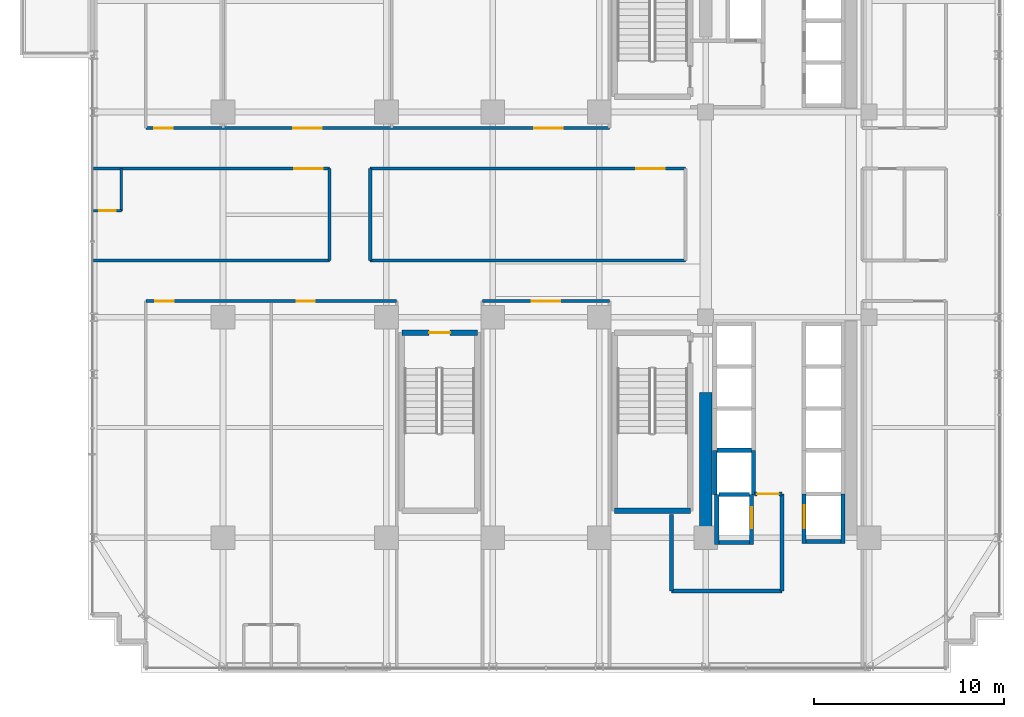
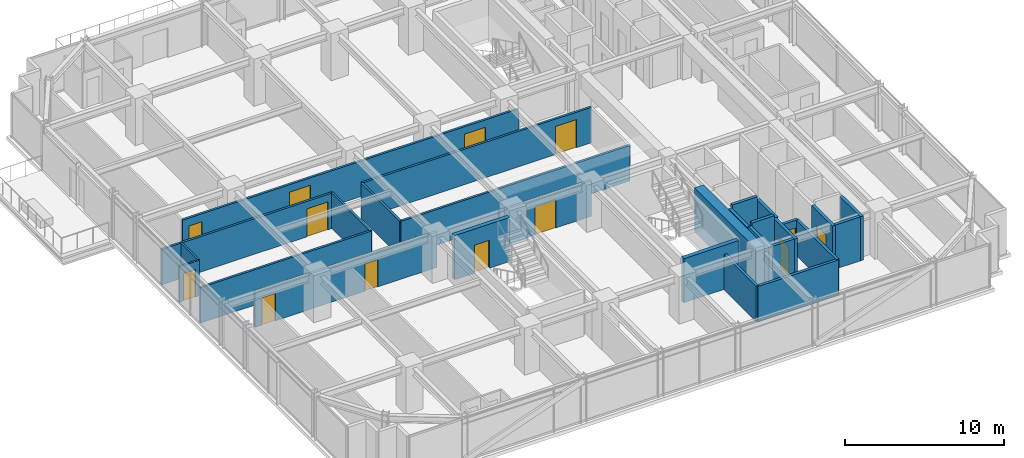
# One storey, part 28 of 35: 28 walls, 13 doors, 13 openings.
"""IFC4 building model written with IfcOpenShell, lengths in metres."""

from ifc_helpers import new_model, si_unit, direction, frame, frame_2d, origin, place, context, subcontext, project, spatial, rectangle, extrude, source, transform, mapped, material, layer, layer_set, type_object, element, fill, save


model = new_model("IFC4")

# Units and contexts
model_context = context("Model", 3, precision=1e-05, world=origin(), true_north=direction((0.0, 1.0)))
body_context = subcontext(model_context, "Body", "Model", "MODEL_VIEW")
ifc_project = project(units=[si_unit("LENGTHUNIT", "METRE"), si_unit("AREAUNIT", "SQUARE_METRE"), si_unit("VOLUMEUNIT", "CUBIC_METRE"), si_unit("PLANEANGLEUNIT", "RADIAN"), si_unit("MASSUNIT", "GRAM", prefix="KILO")], contexts=[model_context])

# Site, building, storey
site_placement = place(None, origin())
site = spatial("IfcSite", under=ifc_project, at=site_placement, CompositionType="ELEMENT")
building_placement = place(site_placement, origin())
building = spatial("IfcBuilding", under=site, at=building_placement, Name="Nahalor Promenade Grand Hotel", CompositionType="ELEMENT")
storey_placement = place(building_placement, frame((0.0, 0.0, 121.14990234375)))
storey = spatial("IfcBuildingStorey", under=building, at=storey_placement, Name="L30", CompositionType="ELEMENT", Elevation=121.14990234375)

# Walls
ifc_material_1 = material(Name="Concrete B-60 (C50/60)", Category="concrete")
ifc_layer_1 = layer(ifc_material_1, 0.64990234375)
ifc_layer_set_1 = layer_set([ifc_layer_1], Name="Concrete B-60 (C50/60)")
wall_type_1 = type_object("IfcWallType", Name="Wall-CoreShear-650", PredefinedType="SHEAR", material=ifc_layer_set_1)
shared_shape_1 = source(origin(), body_context, "Body", "SweptSolid", [
    extrude(rectangle(XDim=7.64990234375, YDim=0.64990234375, at=frame_2d((3.824951171875, 0.0))), origin(), (0.0, 0.0, 1.0), 3.380126953125),
])
wall_1_placement = place(storey_placement, frame((8.39990234375, -17.0, 0.0), z_axis=(0.0, 0.0, 1.0), x_axis=(0.0, 1.0, 0.0)))
element("IfcWall", 1, at=wall_1_placement, inside=storey, type_object=wall_type_1, Name="CWALL-L30-SW", PredefinedType="SHEAR", context=body_context, shape_type="MappedRepresentation", body=[
    mapped(shared_shape_1, transform((0.0, 0.0, 0.0), scale=1.0)),
])
ifc_material_2 = material(Name="Concrete B-50 (C40/50)", Category="concrete")
ifc_layer_2 = layer(ifc_material_2, 0.300048828125)
ifc_layer_set_2 = layer_set([ifc_layer_2], Name="Concrete B-50 (C40/50)")
wall_type_2 = type_object("IfcWallType", Name="Wall-ShaftShear-300", PredefinedType="SHEAR", material=ifc_layer_set_2)
shared_shape_2 = source(origin(), body_context, "Body", "SweptSolid", [
    extrude(rectangle(XDim=3.97998046875, YDim=0.300048828125, at=frame_2d((1.989990234375, 0.0))), origin(), (0.0, 0.0, 1.0), 3.380126953125),
])
wall_2_placement = place(storey_placement, frame((3.610107421875, -15.590087890625, 0.0), z_axis=(0.0, 0.0, 1.0), x_axis=(1.0, 0.0, 0.0)))
element("IfcWall", 2, at=wall_2_placement, inside=storey, type_object=wall_type_2, Name="L30 Exit Stair ST2 Shaft Wall S", PredefinedType="SHEAR", context=body_context, shape_type="MappedRepresentation", body=[
    mapped(shared_shape_2, transform((0.0, 0.0, 0.0), scale=1.0)),
])

# Wall, opening, door
wall_3_placement = place(storey_placement, frame((-7.590087890625, -6.2099609375, 0.0), z_axis=(0.0, 0.0, 1.0), x_axis=(1.0, 0.0, 0.0)))
wall_3 = element("IfcWall", 3, at=wall_3_placement, inside=storey, type_object=wall_type_2, Name="L30 Exit Stair ST3 Shaft Wall N", PredefinedType="SHEAR", context=body_context, shape_type="MappedRepresentation", body=[
    mapped(shared_shape_2, transform((0.0, 0.0, 0.0), scale=1.0)),
])
opening_1_placement = place(wall_3_placement, frame((1.43994140625, 0.0, 0.0)))
opening_1 = element("IfcOpeningElement", 4, at=opening_1_placement, cuts=wall_3, Name="Opening D-ST1", PredefinedType="OPENING", context=body_context, shape_type="SweptSolid", body=[
    extrude(rectangle(XDim=1.10009765625, YDim=2.14990234375, at=frame_2d((0.550048828125, 1.074951171875))), frame((0.0, 0.159912109375, 0.0), z_axis=(0.0, -1.0, 0.0), x_axis=(1.0, 0.0, 0.0)), (0.0, 0.0, 1.0), 0.320068359375),
])
ifc_material_3 = material(Name="Steel S355JR", Category="steel")
door_type_1 = type_object("IfcDoorType", Name="Door-StairFire-1100", OperationType="NOTDEFINED", PredefinedType="DOOR", material=ifc_material_3)
shared_shape_3 = source(origin(), body_context, "Body", "SweptSolid", [
    extrude(rectangle(XDim=1.10009765625, YDim=2.14990234375, at=frame_2d((0.550048828125, 1.074951171875))), frame((0.0, 0.02490234375, 0.0), z_axis=(0.0, -1.0, 0.0), x_axis=(1.0, 0.0, 0.0)), (0.0, 0.0, 1.0), 0.050048828125),
])
door_1_placement = place(opening_1_placement, frame((1.10009765625, 0.0, 0.0), z_axis=(0.0, 0.0, 1.0), x_axis=(-1.0, 0.0, 0.0)))
door_1 = element("IfcDoor", 5, at=door_1_placement, inside=storey, type_object=door_type_1, Name="DR-STAIR-ST3-L30", OperationType="SINGLE_SWING_LEFT", OverallHeight=2.14990234375, OverallWidth=1.10009765625, PredefinedType="DOOR", context=body_context, shape_type="MappedRepresentation", body=[
    mapped(shared_shape_3, transform((0.0, 0.0, 0.0), scale=1.0)),
])
fill(opening_1, door_1)

# Walls
ifc_layer_3 = layer(ifc_material_2, 0.219970703125)
ifc_layer_set_3 = layer_set([ifc_layer_3], Name="Concrete B-50 (C40/50)")
wall_type_3 = type_object("IfcWallType", Name="Wall-LiftShaft-220", PredefinedType="SHEAR", material=ifc_layer_set_3)
shared_shape_4 = source(origin(), body_context, "Body", "SweptSolid", [
    extrude(rectangle(XDim=1.820068359375, YDim=0.219970703125, at=frame_2d((0.91015625, 0.0))), origin(), (0.0, 0.0, 1.0), 3.650146484375),
])
wall_4_placement = place(storey_placement, frame((8.989990234375, -12.39990234375, 0.0), z_axis=(0.0, 0.0, 1.0), x_axis=(1.0, 0.0, 0.0)))
element("IfcWall", 6, at=wall_4_placement, inside=storey, type_object=wall_type_3, Name="L30 Lift PL12 Hoistway Wall N", PredefinedType="SHEAR", context=body_context, shape_type="MappedRepresentation", body=[
    mapped(shared_shape_4, transform((0.0, 0.0, 0.0), scale=1.0)),
])
shared_shape_5 = source(origin(), body_context, "Body", "SweptSolid", [
    extrude(rectangle(XDim=1.820068359375, YDim=0.219970703125, at=frame_2d((0.91015625, 0.0))), origin(), (0.0, 0.0, 1.0), 3.380126953125),
])
wall_5_placement = place(storey_placement, frame((13.68994140625, -17.199951171875, 0.0), z_axis=(0.0, 0.0, 1.0), x_axis=(1.0, 0.0, 0.0)))
element("IfcWall", 7, at=wall_5_placement, inside=storey, type_object=wall_type_3, Name="L30 Lift SV2 Hoistway Wall S", PredefinedType="SHEAR", context=body_context, shape_type="MappedRepresentation", body=[
    mapped(shared_shape_5, transform((0.0, 0.0, 0.0), scale=1.0)),
])
shared_shape_6 = source(origin(), body_context, "Body", "SweptSolid", [
    extrude(rectangle(XDim=2.3251953125, YDim=0.219970703125, at=frame_2d((1.16259765625, 0.0))), origin(), (0.0, 0.0, 1.0), 3.380126953125),
])
for number, where, z_axis, x_axis, name in (
    (8, (8.8798828125, -14.72509765625, 0.0), (0.0, 0.0, 1.0), (0.0, 1.0, 0.0), "L30 Lift PL12 Hoistway Wall W"),
    (9, (10.919921875, -14.72509765625, 0.0), (0.0, 0.0, 1.0), (0.0, 1.0, 0.0), "L30 Lift PL12 Hoistway Wall E"),
):
    element("IfcWall", number, at=place(storey_placement, frame(where, z_axis=z_axis, x_axis=x_axis)), inside=storey, type_object=wall_type_3, Name=name, PredefinedType="SHEAR", context=body_context, shape_type="MappedRepresentation", body=[
        mapped(shared_shape_6, transform((0.0, 0.0, 0.0), scale=1.0)),
    ])
shared_shape_7 = source(origin(), body_context, "Body", "SweptSolid", [
    extrude(rectangle(XDim=1.619873046875, YDim=0.219970703125, at=frame_2d((0.81005859375, 0.0))), origin(), (0.0, 0.0, 1.0), 3.650146484375),
])
wall_6_placement = place(storey_placement, frame((9.090087890625, -14.72509765625, 0.0), z_axis=(0.0, 0.0, 1.0), x_axis=(1.0, 0.0, 0.0)))
element("IfcWall", 10, at=wall_6_placement, inside=storey, type_object=wall_type_3, Name="L30 Lift FL2 Hoistway Wall N", PredefinedType="SHEAR", context=body_context, shape_type="MappedRepresentation", body=[
    mapped(shared_shape_7, transform((0.0, 0.0, 0.0), scale=1.0)),
])
shared_shape_8 = source(origin(), body_context, "Body", "SweptSolid", [
    extrude(rectangle(XDim=2.635009765625, YDim=0.219970703125, at=frame_2d((1.3173828125, 0.0))), origin(), (0.0, 0.0, 1.0), 3.380126953125),
])
wall_7_placement = place(storey_placement, frame((8.97998046875, -17.360107421875, 0.0), z_axis=(0.0, 0.0, 1.0), x_axis=(0.0, 1.0, 0.0)))
element("IfcWall", 11, at=wall_7_placement, inside=storey, type_object=wall_type_3, Name="L30 Lift FL2 Hoistway Wall W", PredefinedType="SHEAR", context=body_context, shape_type="MappedRepresentation", body=[
    mapped(shared_shape_8, transform((0.0, 0.0, 0.0), scale=1.0)),
])

# Wall, opening, door
wall_8_placement = place(storey_placement, frame((10.820068359375, -17.360107421875, 0.0), z_axis=(0.0, 0.0, 1.0), x_axis=(0.0, 1.0, 0.0)))
wall_8 = element("IfcWall", 12, at=wall_8_placement, inside=storey, type_object=wall_type_3, Name="L30 Lift FL2 Hoistway Wall E", PredefinedType="SHEAR", context=body_context, shape_type="MappedRepresentation", body=[
    mapped(shared_shape_8, transform((0.0, 0.0, 0.0), scale=1.0)),
])
opening_2_placement = place(wall_8_placement, frame((0.860107421875, 0.0, 0.0)))
opening_2 = element("IfcOpeningElement", 13, at=opening_2_placement, cuts=wall_8, Name="Opening LD-02", PredefinedType="OPENING", context=body_context, shape_type="SweptSolid", body=[
    extrude(rectangle(XDim=1.10009765625, YDim=2.199951171875, at=frame_2d((0.550048828125, 1.10009765625))), frame((0.0, 0.119873046875, 0.0), z_axis=(0.0, -1.0, 0.0), x_axis=(1.0, 0.0, 0.0)), (0.0, 0.0, 1.0), 0.239990234375),
])
door_type_2 = type_object("IfcDoorType", Name="Door-LiftFF-1100", OperationType="DOUBLE_DOOR_SLIDING", PredefinedType="DOOR", material=ifc_material_3)
shared_shape_9 = source(origin(), body_context, "Body", "SweptSolid", [
    extrude(rectangle(XDim=1.10009765625, YDim=2.199951171875, at=frame_2d((0.550048828125, 1.10009765625))), frame((0.0, 0.02490234375, 0.0), z_axis=(0.0, -1.0, 0.0), x_axis=(1.0, 0.0, 0.0)), (0.0, 0.0, 1.0), 0.050048828125),
])
door_2_placement = place(opening_2_placement, frame((1.10009765625, 0.0, 0.0), z_axis=(0.0, 0.0, 1.0), x_axis=(-1.0, 0.0, 0.0)))
door_2 = element("IfcDoor", 14, at=door_2_placement, inside=storey, type_object=door_type_2, Name="DR-LIFT-FL2-L30", OperationType="DOUBLE_DOOR_SLIDING", OverallHeight=2.199951171875, OverallWidth=1.10009765625, PredefinedType="DOOR", context=body_context, shape_type="MappedRepresentation", body=[
    mapped(shared_shape_9, transform((0.0, 0.0, 0.0), scale=1.0)),
])
fill(opening_2, door_2)

# Wall
shared_shape_10 = source(origin(), body_context, "Body", "SweptSolid", [
    extrude(rectangle(XDim=1.619873046875, YDim=0.219970703125, at=frame_2d((0.81005859375, 0.0))), origin(), (0.0, 0.0, 1.0), 3.380126953125),
])
wall_9_placement = place(storey_placement, frame((9.090087890625, -17.25, 0.0), z_axis=(0.0, 0.0, 1.0), x_axis=(1.0, 0.0, 0.0)))
element("IfcWall", 15, at=wall_9_placement, inside=storey, type_object=wall_type_3, Name="L30 Lift FL2 Hoistway Wall S", PredefinedType="SHEAR", context=body_context, shape_type="MappedRepresentation", body=[
    mapped(shared_shape_10, transform((0.0, 0.0, 0.0), scale=1.0)),
])

# Wall, opening, door
shared_shape_11 = source(origin(), body_context, "Body", "SweptSolid", [
    extrude(rectangle(XDim=2.610107421875, YDim=0.219970703125, at=frame_2d((1.30517578125, 0.0))), origin(), (0.0, 0.0, 1.0), 3.380126953125),
])
wall_10_placement = place(storey_placement, frame((13.580078125, -17.31005859375, 0.0), z_axis=(0.0, 0.0, 1.0), x_axis=(0.0, 1.0, 0.0)))
wall_10 = element("IfcWall", 16, at=wall_10_placement, inside=storey, type_object=wall_type_3, Name="L30 Lift SV2 Hoistway Wall W", PredefinedType="SHEAR", context=body_context, shape_type="MappedRepresentation", body=[
    mapped(shared_shape_11, transform((0.0, 0.0, 0.0), scale=1.0)),
])
opening_3_placement = place(wall_10_placement, frame((0.81005859375, 0.0, 0.0)))
opening_3 = element("IfcOpeningElement", 17, at=opening_3_placement, cuts=wall_10, Name="Opening LD-03", PredefinedType="OPENING", context=body_context, shape_type="SweptSolid", body=[
    extrude(rectangle(XDim=1.199951171875, YDim=2.199951171875, at=frame_2d((0.60009765625, 1.10009765625))), frame((0.0, 0.119873046875, 0.0), z_axis=(0.0, -1.0, 0.0), x_axis=(1.0, 0.0, 0.0)), (0.0, 0.0, 1.0), 0.239990234375),
])
door_type_3 = type_object("IfcDoorType", Name="Door-LiftService-1200", OperationType="DOUBLE_DOOR_SLIDING", PredefinedType="DOOR", material=ifc_material_3)
shared_shape_12 = source(origin(), body_context, "Body", "SweptSolid", [
    extrude(rectangle(XDim=1.199951171875, YDim=2.199951171875, at=frame_2d((0.60009765625, 1.10009765625))), frame((0.0, 0.02490234375, 0.0), z_axis=(0.0, -1.0, 0.0), x_axis=(1.0, 0.0, 0.0)), (0.0, 0.0, 1.0), 0.050048828125),
])
door_3_placement = place(opening_3_placement, origin())
door_3 = element("IfcDoor", 18, at=door_3_placement, inside=storey, type_object=door_type_3, Name="DR-LIFT-SV2-L30", OperationType="DOUBLE_DOOR_SLIDING", OverallHeight=2.199951171875, OverallWidth=1.199951171875, PredefinedType="DOOR", context=body_context, shape_type="MappedRepresentation", body=[
    mapped(shared_shape_12, transform((0.0, 0.0, 0.0), scale=1.0)),
])
fill(opening_3, door_3)

# Walls
wall_11_placement = place(storey_placement, frame((15.6201171875, -17.31005859375, 0.0), z_axis=(0.0, 0.0, 1.0), x_axis=(0.0, 1.0, 0.0)))
element("IfcWall", 19, at=wall_11_placement, inside=storey, type_object=wall_type_3, Name="L30 Lift SV2 Hoistway Wall E", PredefinedType="SHEAR", context=body_context, shape_type="MappedRepresentation", body=[
    mapped(shared_shape_11, transform((0.0, 0.0, 0.0), scale=1.0)),
])
ifc_material_4 = material(Name="Concrete B-40 (C32/40)", Category="concrete")
ifc_layer_4 = layer(ifc_material_4, 0.199951171875)
ifc_layer_set_4 = layer_set([ifc_layer_4], Name="Concrete B-40 (C32/40)")
wall_type_4 = type_object("IfcWallType", Name="Wall-PartFire-200", PredefinedType="PARTITIONING", material=ifc_layer_set_4)
shared_shape_13 = source(origin(), body_context, "Body", "SweptSolid", [
    extrude(rectangle(XDim=5.81982421875, YDim=0.199951171875, at=frame_2d((2.909912109375, 0.0))), origin(), (0.0, 0.0, 1.0), 2.72021484375),
])
wall_12_placement = place(storey_placement, frame((6.60009765625, -19.800048828125, 0.0), z_axis=(0.0, 0.0, 1.0), x_axis=(1.0, 0.0, 0.0)))
element("IfcWall", 20, at=wall_12_placement, inside=storey, type_object=wall_type_4, Name="W-L30-FF2-S1", PredefinedType="PARTITIONING", context=body_context, shape_type="MappedRepresentation", body=[
    mapped(shared_shape_13, transform((0.0, 0.0, 0.0), scale=1.0)),
])
shared_shape_14 = source(origin(), body_context, "Body", "SweptSolid", [
    extrude(rectangle(XDim=4.030029296875, YDim=0.199951171875, at=frame_2d((2.01513671875, 0.0))), origin(), (0.0, 0.0, 1.0), 2.72021484375),
])
wall_13_placement = place(storey_placement, frame((6.60009765625, -19.800048828125, 0.0), z_axis=(0.0, 0.0, 1.0), x_axis=(0.0, 1.0, 0.0)))
element("IfcWall", 21, at=wall_13_placement, inside=storey, type_object=wall_type_4, Name="W-L30-FF2-W1", PredefinedType="PARTITIONING", context=body_context, shape_type="MappedRepresentation", body=[
    mapped(shared_shape_14, transform((0.0, 0.0, 0.0), scale=1.0)),
])
shared_shape_15 = source(origin(), body_context, "Body", "SweptSolid", [
    extrude(rectangle(XDim=5.10009765625, YDim=0.199951171875, at=frame_2d((2.550048828125, 0.0))), origin(), (0.0, 0.0, 1.0), 2.72021484375),
])
wall_14_placement = place(storey_placement, frame((12.419921875, -19.800048828125, 0.0), z_axis=(0.0, 0.0, 1.0), x_axis=(0.0, 1.0, 0.0)))
element("IfcWall", 22, at=wall_14_placement, inside=storey, type_object=wall_type_4, Name="W-L30-FF2-E", PredefinedType="PARTITIONING", context=body_context, shape_type="MappedRepresentation", body=[
    mapped(shared_shape_15, transform((0.0, 0.0, 0.0), scale=1.0)),
])

# Wall, opening, door
shared_shape_16 = source(origin(), body_context, "Body", "SweptSolid", [
    extrude(rectangle(XDim=1.4599609375, YDim=0.199951171875, at=frame_2d((0.72998046875, 0.0))), origin(), (0.0, 0.0, 1.0), 2.72021484375),
])
wall_15_placement = place(storey_placement, frame((10.9599609375, -14.699951171875, 0.0), z_axis=(0.0, 0.0, 1.0), x_axis=(1.0, 0.0, 0.0)))
wall_15 = element("IfcWall", 23, at=wall_15_placement, inside=storey, type_object=wall_type_4, Name="W-L30-FF2-N1", PredefinedType="PARTITIONING", context=body_context, shape_type="MappedRepresentation", body=[
    mapped(shared_shape_16, transform((0.0, 0.0, 0.0), scale=1.0)),
])
opening_4_placement = place(wall_15_placement, frame((0.14501953125, 0.0, 0.0)))
opening_4 = element("IfcOpeningElement", 24, at=opening_4_placement, cuts=wall_15, Name="Opening D-FF1", PredefinedType="OPENING", context=body_context, shape_type="SweptSolid", body=[
    extrude(rectangle(XDim=1.14990234375, YDim=2.14990234375, at=frame_2d((0.574951171875, 1.074951171875))), frame((0.0, 0.10986328125, 0.0), z_axis=(0.0, -1.0, 0.0), x_axis=(1.0, 0.0, 0.0)), (0.0, 0.0, 1.0), 0.219970703125),
])
door_type_4 = type_object("IfcDoorType", Name="Door-FFLobby-1150", OperationType="NOTDEFINED", PredefinedType="DOOR", material=ifc_material_3)
shared_shape_17 = source(origin(), body_context, "Body", "SweptSolid", [
    extrude(rectangle(XDim=1.14990234375, YDim=2.14990234375, at=frame_2d((0.574951171875, 1.074951171875))), frame((0.0, 0.02490234375, 0.0), z_axis=(0.0, -1.0, 0.0), x_axis=(1.0, 0.0, 0.0)), (0.0, 0.0, 1.0), 0.050048828125),
])
door_4_placement = place(opening_4_placement, origin())
door_4 = element("IfcDoor", 25, at=door_4_placement, inside=storey, type_object=door_type_4, Name="DR-L30-FFL2", OperationType="SINGLE_SWING_RIGHT", OverallHeight=2.14990234375, OverallWidth=1.14990234375, PredefinedType="DOOR", context=body_context, shape_type="MappedRepresentation", body=[
    mapped(shared_shape_17, transform((0.0, 0.0, 0.0), scale=1.0)),
])
fill(opening_4, door_4)

# Wall, openings, doors
ifc_material_5 = material(Name="Acoustic Mineral Gypsum", Category="gypsum")
ifc_layer_5 = layer(ifc_material_5, 0.159912109375)
ifc_layer_set_5 = layer_set([ifc_layer_5], Name="Acoustic Mineral Gypsum")
wall_type_5 = type_object("IfcWallType", Name="Wall-PartCorridor-160", PredefinedType="PARTITIONING", material=ifc_layer_set_5)
shared_shape_18 = source(origin(), body_context, "Body", "SweptSolid", [
    extrude(rectangle(XDim=24.400146484375, YDim=0.159912109375, at=frame_2d((12.2001953125, 0.0))), origin(), (0.0, 0.0, 1.0), 2.72021484375),
])
wall_16_placement = place(storey_placement, frame((-21.06005859375, 4.550048828125, 0.0), z_axis=(0.0, 0.0, 1.0), x_axis=(1.0, 0.0, 0.0)))
wall_16 = element("IfcWall", 26, at=wall_16_placement, inside=storey, type_object=wall_type_5, Name="W-L30-CORR-N", PredefinedType="PARTITIONING", context=body_context, shape_type="MappedRepresentation", body=[
    mapped(shared_shape_18, transform((0.0, 0.0, 0.0), scale=1.0)),
])
opening_5_placement = place(wall_16_placement, frame((0.455078125, 0.0, 0.0)))
opening_5 = element("IfcOpeningElement", 27, at=opening_5_placement, cuts=wall_16, Name="Opening D-01", PredefinedType="OPENING", context=body_context, shape_type="SweptSolid", body=[
    extrude(rectangle(XDim=0.949951171875, YDim=2.10009765625, at=frame_2d((0.47509765625, 1.050048828125))), frame((0.0, 0.08984375, 0.0), z_axis=(0.0, -1.0, 0.0), x_axis=(1.0, 0.0, 0.0)), (0.0, 0.0, 1.0), 0.179931640625),
])
opening_6_placement = place(wall_16_placement, frame((7.762939453125, 0.0, 0.0)))
opening_6 = element("IfcOpeningElement", 28, at=opening_6_placement, cuts=wall_16, Name="Opening D-02", PredefinedType="OPENING", context=body_context, shape_type="SweptSolid", body=[
    extrude(rectangle(XDim=1.5, YDim=2.14990234375, at=frame_2d((0.75, 1.074951171875))), frame((0.0, 0.08984375, 0.0), z_axis=(0.0, -1.0, 0.0), x_axis=(1.0, 0.0, 0.0)), (0.0, 0.0, 1.0), 0.179931640625),
])
opening_7_placement = place(wall_16_placement, frame((20.452880859375, 0.0, 0.0)))
opening_7 = element("IfcOpeningElement", 29, at=opening_7_placement, cuts=wall_16, Name="Opening D-02", PredefinedType="OPENING", context=body_context, shape_type="SweptSolid", body=[
    extrude(rectangle(XDim=1.5, YDim=2.14990234375, at=frame_2d((0.75, 1.074951171875))), frame((0.0, 0.08984375, 0.0), z_axis=(0.0, -1.0, 0.0), x_axis=(1.0, 0.0, 0.0)), (0.0, 0.0, 1.0), 0.179931640625),
])
ifc_material_6 = material(Name="Fire-Rated Timber Composite", Category="wood")
door_type_5 = type_object("IfcDoorType", Name="Door-SuiteDouble-1500", OperationType="DOUBLE_DOOR_SINGLE_SWING", PredefinedType="DOOR", material=ifc_material_6)
shared_shape_19 = source(origin(), body_context, "Body", "SweptSolid", [
    extrude(rectangle(XDim=1.5, YDim=2.14990234375, at=frame_2d((0.75, 1.074951171875))), frame((0.0, 0.02490234375, 0.0), z_axis=(0.0, -1.0, 0.0), x_axis=(1.0, 0.0, 0.0)), (0.0, 0.0, 1.0), 0.050048828125),
])
door_5_placement = place(opening_6_placement, origin())
door_5 = element("IfcDoor", 30, at=door_5_placement, inside=storey, type_object=door_type_5, Name="DR-L30-N2-ENT", OperationType="DOUBLE_DOOR_SINGLE_SWING", OverallHeight=2.14990234375, OverallWidth=1.5, PredefinedType="DOOR", context=body_context, shape_type="MappedRepresentation", body=[
    mapped(shared_shape_19, transform((0.0, 0.0, 0.0), scale=1.0)),
])
fill(opening_6, door_5)
door_6_placement = place(opening_7_placement, origin())
door_6 = element("IfcDoor", 31, at=door_6_placement, inside=storey, type_object=door_type_5, Name="DR-L30-N3-ENT", OperationType="DOUBLE_DOOR_SINGLE_SWING", OverallHeight=2.14990234375, OverallWidth=1.5, PredefinedType="DOOR", context=body_context, shape_type="MappedRepresentation", body=[
    mapped(shared_shape_19, transform((0.0, 0.0, 0.0), scale=1.0)),
])
fill(opening_7, door_6)
door_type_6 = type_object("IfcDoorType", Name="Door-GuestEntry-950", OperationType="NOTDEFINED", PredefinedType="DOOR", material=ifc_material_6)
shared_shape_20 = source(origin(), body_context, "Body", "SweptSolid", [
    extrude(rectangle(XDim=0.949951171875, YDim=2.10009765625, at=frame_2d((0.47509765625, 1.050048828125))), frame((0.0, 0.02490234375, 0.0), z_axis=(0.0, -1.0, 0.0), x_axis=(1.0, 0.0, 0.0)), (0.0, 0.0, 1.0), 0.050048828125),
])
door_7_placement = place(opening_5_placement, origin())
door_7 = element("IfcDoor", 32, at=door_7_placement, inside=storey, type_object=door_type_6, Name="DR-L30-N1-ENT", OperationType="SINGLE_SWING_LEFT", OverallHeight=2.10009765625, OverallWidth=0.949951171875, PredefinedType="DOOR", context=body_context, shape_type="MappedRepresentation", body=[
    mapped(shared_shape_20, transform((0.0, 0.0, 0.0), scale=1.0)),
])
fill(opening_5, door_7)

# Wall, opening, door
ifc_layer_6 = layer(ifc_material_5, 0.1201171875)
ifc_layer_set_6 = layer_set([ifc_layer_6], Name="Acoustic Mineral Gypsum")
wall_type_6 = type_object("IfcWallType", Name="Wall-PartBath-120", PredefinedType="PARTITIONING", material=ifc_layer_set_6)
shared_shape_21 = source(origin(), body_context, "Body", "SweptSolid", [
    extrude(rectangle(XDim=1.449951171875, YDim=0.1201171875, at=frame_2d((0.72509765625, 0.0))), origin(), (0.0, 0.0, 1.0), 2.72021484375),
])
wall_17_placement = place(storey_placement, frame((-23.800048828125, 0.199951171875, 0.0), z_axis=(0.0, 0.0, 1.0), x_axis=(1.0, 0.0, 0.0)))
wall_17 = element("IfcWall", 33, at=wall_17_placement, inside=storey, type_object=wall_type_6, Name="W-L30-W1-BH", PredefinedType="PARTITIONING", context=body_context, shape_type="MappedRepresentation", body=[
    mapped(shared_shape_21, transform((0.0, 0.0, 0.0), scale=1.0)),
])
opening_8_placement = place(wall_17_placement, frame((0.284912109375, 0.0, 0.0)))
opening_8 = element("IfcOpeningElement", 34, at=opening_8_placement, cuts=wall_17, Name="Opening D-03", PredefinedType="OPENING", context=body_context, shape_type="SweptSolid", body=[
    extrude(rectangle(XDim=0.8798828125, YDim=2.10009765625, at=frame_2d((0.43994140625, 1.050048828125))), frame((0.0, 0.070068359375, 0.0), z_axis=(0.0, -1.0, 0.0), x_axis=(1.0, 0.0, 0.0)), (0.0, 0.0, 1.0), 0.14013671875),
])
door_type_7 = type_object("IfcDoorType", Name="Door-BathSwing-880", OperationType="NOTDEFINED", PredefinedType="DOOR", material=ifc_material_6)
shared_shape_22 = source(origin(), body_context, "Body", "SweptSolid", [
    extrude(rectangle(XDim=0.8798828125, YDim=2.10009765625, at=frame_2d((0.43994140625, 1.050048828125))), frame((0.0, 0.02490234375, 0.0), z_axis=(0.0, -1.0, 0.0), x_axis=(1.0, 0.0, 0.0)), (0.0, 0.0, 1.0), 0.050048828125),
])
door_8_placement = place(opening_8_placement, origin())
door_8 = element("IfcDoor", 35, at=door_8_placement, inside=storey, type_object=door_type_7, Name="DR-L30-W1-BATH", OperationType="SINGLE_SWING_RIGHT", OverallHeight=2.10009765625, OverallWidth=0.8798828125, PredefinedType="DOOR", context=body_context, shape_type="MappedRepresentation", body=[
    mapped(shared_shape_22, transform((0.0, 0.0, 0.0), scale=1.0)),
])
fill(opening_8, door_8)

# Wall
shared_shape_23 = source(origin(), body_context, "Body", "SweptSolid", [
    extrude(rectangle(XDim=2.219970703125, YDim=0.1201171875, at=frame_2d((1.10986328125, 0.0))), origin(), (0.0, 0.0, 1.0), 2.72021484375),
])
wall_18_placement = place(storey_placement, frame((-22.35009765625, 0.199951171875, 0.0), z_axis=(0.0, 0.0, 1.0), x_axis=(0.0, 1.0, 0.0)))
element("IfcWall", 36, at=wall_18_placement, inside=storey, type_object=wall_type_6, Name="W-L30-W1-BV", PredefinedType="PARTITIONING", context=body_context, shape_type="MappedRepresentation", body=[
    mapped(shared_shape_23, transform((0.0, 0.0, 0.0), scale=1.0)),
])

# Wall, openings, doors
shared_shape_24 = source(origin(), body_context, "Body", "SweptSolid", [
    extrude(rectangle(XDim=13.199951171875, YDim=0.159912109375, at=frame_2d((6.60009765625, 0.0))), origin(), (0.0, 0.0, 1.0), 2.72021484375),
])
wall_19_placement = place(storey_placement, frame((-21.06005859375, -4.550048828125, 0.0), z_axis=(0.0, 0.0, 1.0), x_axis=(1.0, 0.0, 0.0)))
wall_19 = element("IfcWall", 37, at=wall_19_placement, inside=storey, type_object=wall_type_5, Name="W-L30-CORR-S", PredefinedType="PARTITIONING", context=body_context, shape_type="MappedRepresentation", body=[
    mapped(shared_shape_24, transform((0.0, 0.0, 0.0), scale=1.0)),
])
opening_9_placement = place(wall_19_placement, frame((0.510009765625, 0.0, 0.0)))
opening_9 = element("IfcOpeningElement", 38, at=opening_9_placement, cuts=wall_19, Name="Opening D-01", PredefinedType="OPENING", context=body_context, shape_type="SweptSolid", body=[
    extrude(rectangle(XDim=0.949951171875, YDim=2.10009765625, at=frame_2d((0.47509765625, 1.050048828125))), frame((0.0, 0.08984375, 0.0), z_axis=(0.0, -1.0, 0.0), x_axis=(1.0, 0.0, 0.0)), (0.0, 0.0, 1.0), 0.179931640625),
])
opening_10_placement = place(wall_19_placement, frame((7.951904296875, 0.0, 0.0)))
opening_10 = element("IfcOpeningElement", 39, at=opening_10_placement, cuts=wall_19, Name="Opening D-01", PredefinedType="OPENING", context=body_context, shape_type="SweptSolid", body=[
    extrude(rectangle(XDim=0.949951171875, YDim=2.10009765625, at=frame_2d((0.47509765625, 1.050048828125))), frame((0.0, 0.08984375, 0.0), z_axis=(0.0, -1.0, 0.0), x_axis=(1.0, 0.0, 0.0)), (0.0, 0.0, 1.0), 0.179931640625),
])
door_9_placement = place(opening_9_placement, frame((0.949951171875, 0.0, 0.0), z_axis=(0.0, 0.0, 1.0), x_axis=(-1.0, 0.0, 0.0)))
door_9 = element("IfcDoor", 40, at=door_9_placement, inside=storey, type_object=door_type_6, Name="DR-L30-S1-ENT", OperationType="SINGLE_SWING_LEFT", OverallHeight=2.10009765625, OverallWidth=0.949951171875, PredefinedType="DOOR", context=body_context, shape_type="MappedRepresentation", body=[
    mapped(shared_shape_20, transform((0.0, 0.0, 0.0), scale=1.0)),
])
fill(opening_9, door_9)
door_10_placement = place(opening_10_placement, frame((0.949951171875, 0.0, 0.0), z_axis=(0.0, 0.0, 1.0), x_axis=(-1.0, 0.0, 0.0)))
door_10 = element("IfcDoor", 41, at=door_10_placement, inside=storey, type_object=door_type_6, Name="DR-L30-S2-ENT", OperationType="SINGLE_SWING_LEFT", OverallHeight=2.10009765625, OverallWidth=0.949951171875, PredefinedType="DOOR", context=body_context, shape_type="MappedRepresentation", body=[
    mapped(shared_shape_20, transform((0.0, 0.0, 0.0), scale=1.0)),
])
fill(opening_10, door_10)

# Walls
shared_shape_25 = source(origin(), body_context, "Body", "SweptSolid", [
    extrude(rectangle(XDim=4.83984375, YDim=0.159912109375, at=frame_2d((2.419921875, 0.0))), origin(), (0.0, 0.0, 1.0), 2.72021484375),
])
for number, where, z_axis, x_axis, name in (
    (42, (-11.39990234375, -2.419921875, 0.0), (0.0, 0.0, 1.0), (0.0, 1.0, 0.0), "W-L30-WEST-E"),
    (43, (-9.25, -2.419921875, 0.0), (0.0, 0.0, 1.0), (0.0, 1.0, 0.0), "W-L30-CM1-W"),
):
    element("IfcWall", number, at=place(storey_placement, frame(where, z_axis=z_axis, x_axis=x_axis)), inside=storey, type_object=wall_type_5, Name=name, PredefinedType="PARTITIONING", context=body_context, shape_type="MappedRepresentation", body=[
        mapped(shared_shape_25, transform((0.0, 0.0, 0.0), scale=1.0)),
    ])

# Wall, opening, door
shared_shape_26 = source(origin(), body_context, "Body", "SweptSolid", [
    extrude(rectangle(XDim=6.68017578125, YDim=0.159912109375, at=frame_2d((3.340087890625, 0.0))), origin(), (0.0, 0.0, 1.0), 2.72021484375),
])
wall_20_placement = place(storey_placement, frame((-3.340087890625, -4.550048828125, 0.0), z_axis=(0.0, 0.0, 1.0), x_axis=(1.0, 0.0, 0.0)))
wall_20 = element("IfcWall", 44, at=wall_20_placement, inside=storey, type_object=wall_type_5, Name="W-L30-SCB-N", PredefinedType="PARTITIONING", context=body_context, shape_type="MappedRepresentation", body=[
    mapped(shared_shape_26, transform((0.0, 0.0, 0.0), scale=1.0)),
])
opening_11_placement = place(wall_20_placement, frame((2.590087890625, 0.0, 0.0)))
opening_11 = element("IfcOpeningElement", 45, at=opening_11_placement, cuts=wall_20, Name="Opening D-02", PredefinedType="OPENING", context=body_context, shape_type="SweptSolid", body=[
    extrude(rectangle(XDim=1.5, YDim=2.14990234375, at=frame_2d((0.75, 1.074951171875))), frame((0.0, 0.08984375, 0.0), z_axis=(0.0, -1.0, 0.0), x_axis=(1.0, 0.0, 0.0)), (0.0, 0.0, 1.0), 0.179931640625),
])
door_11_placement = place(opening_11_placement, frame((1.5, 0.0, 0.0), z_axis=(0.0, 0.0, 1.0), x_axis=(-1.0, 0.0, 0.0)))
door_11 = element("IfcDoor", 46, at=door_11_placement, inside=storey, type_object=door_type_5, Name="DR-L30-SCB", OperationType="DOUBLE_DOOR_SINGLE_SWING", OverallHeight=2.14990234375, OverallWidth=1.5, PredefinedType="DOOR", context=body_context, shape_type="MappedRepresentation", body=[
    mapped(shared_shape_19, transform((0.0, 0.0, 0.0), scale=1.0)),
])
fill(opening_11, door_11)

shared_shape_27 = source(origin(), body_context, "Body", "SweptSolid", [
    extrude(rectangle(XDim=12.400146484375, YDim=0.159912109375, at=frame_2d((6.2001953125, 0.0))), origin(), (0.0, 0.0, 1.0), 2.72021484375),
])
wall_21_placement = place(storey_placement, frame((-23.800048828125, 2.419921875, 0.0), z_axis=(0.0, 0.0, 1.0), x_axis=(1.0, 0.0, 0.0)))
wall_21 = element("IfcWall", 47, at=wall_21_placement, inside=storey, type_object=wall_type_5, Name="W-L30-WEST-N", PredefinedType="PARTITIONING", context=body_context, shape_type="MappedRepresentation", body=[
    mapped(shared_shape_27, transform((0.0, 0.0, 0.0), scale=1.0)),
])
opening_12_placement = place(wall_21_placement, frame((10.5390625, 0.0, 0.0)))
opening_12 = element("IfcOpeningElement", 48, at=opening_12_placement, cuts=wall_21, Name="Opening D-02", PredefinedType="OPENING", context=body_context, shape_type="SweptSolid", body=[
    extrude(rectangle(XDim=1.5, YDim=2.14990234375, at=frame_2d((0.75, 1.074951171875))), frame((0.0, 0.08984375, 0.0), z_axis=(0.0, -1.0, 0.0), x_axis=(1.0, 0.0, 0.0)), (0.0, 0.0, 1.0), 0.179931640625),
])
door_12_placement = place(opening_12_placement, origin())
door_12 = element("IfcDoor", 49, at=door_12_placement, inside=storey, type_object=door_type_5, Name="DR-L30-W1-ENT", OperationType="DOUBLE_DOOR_SINGLE_SWING", OverallHeight=2.14990234375, OverallWidth=1.5, PredefinedType="DOOR", context=body_context, shape_type="MappedRepresentation", body=[
    mapped(shared_shape_19, transform((0.0, 0.0, 0.0), scale=1.0)),
])
fill(opening_12, door_12)

# Walls
wall_22_placement = place(storey_placement, frame((-23.800048828125, -2.419921875, 0.0), z_axis=(0.0, 0.0, 1.0), x_axis=(1.0, 0.0, 0.0)))
element("IfcWall", 50, at=wall_22_placement, inside=storey, type_object=wall_type_5, Name="W-L30-WEST-S", PredefinedType="PARTITIONING", context=body_context, shape_type="MappedRepresentation", body=[
    mapped(shared_shape_27, transform((0.0, 0.0, 0.0), scale=1.0)),
])
shared_shape_28 = source(origin(), body_context, "Body", "SweptSolid", [
    extrude(rectangle(XDim=16.60009765625, YDim=0.159912109375, at=frame_2d((8.300048828125, 0.0))), origin(), (0.0, 0.0, 1.0), 2.72021484375),
])
wall_23_placement = place(storey_placement, frame((-9.25, -2.419921875, 0.0), z_axis=(0.0, 0.0, 1.0), x_axis=(1.0, 0.0, 0.0)))
element("IfcWall", 51, at=wall_23_placement, inside=storey, type_object=wall_type_5, Name="W-L30-CM1-S", PredefinedType="PARTITIONING", context=body_context, shape_type="MappedRepresentation", body=[
    mapped(shared_shape_28, transform((0.0, 0.0, 0.0), scale=1.0)),
])

# Wall, opening, door
wall_24_placement = place(storey_placement, frame((-9.25, 2.419921875, 0.0), z_axis=(0.0, 0.0, 1.0), x_axis=(1.0, 0.0, 0.0)))
wall_24 = element("IfcWall", 52, at=wall_24_placement, inside=storey, type_object=wall_type_5, Name="W-L30-CM1-N", PredefinedType="PARTITIONING", context=body_context, shape_type="MappedRepresentation", body=[
    mapped(shared_shape_28, transform((0.0, 0.0, 0.0), scale=1.0)),
])
opening_13_placement = place(wall_24_placement, frame((14.001953125, 0.0, 0.0)))
opening_13 = element("IfcOpeningElement", 53, at=opening_13_placement, cuts=wall_24, Name="Opening D-02", PredefinedType="OPENING", context=body_context, shape_type="SweptSolid", body=[
    extrude(rectangle(XDim=1.5, YDim=2.14990234375, at=frame_2d((0.75, 1.074951171875))), frame((0.0, 0.08984375, 0.0), z_axis=(0.0, -1.0, 0.0), x_axis=(1.0, 0.0, 0.0)), (0.0, 0.0, 1.0), 0.179931640625),
])
door_13_placement = place(opening_13_placement, frame((1.5, 0.0, 0.0), z_axis=(0.0, 0.0, 1.0), x_axis=(-1.0, 0.0, 0.0)))
door_13 = element("IfcDoor", 54, at=door_13_placement, inside=storey, type_object=door_type_5, Name="DR-L30-CM1", OperationType="DOUBLE_DOOR_SINGLE_SWING", OverallHeight=2.14990234375, OverallWidth=1.5, PredefinedType="DOOR", context=body_context, shape_type="MappedRepresentation", body=[
    mapped(shared_shape_19, transform((0.0, 0.0, 0.0), scale=1.0)),
])
fill(opening_13, door_13)

save(model, "model.ifc")
